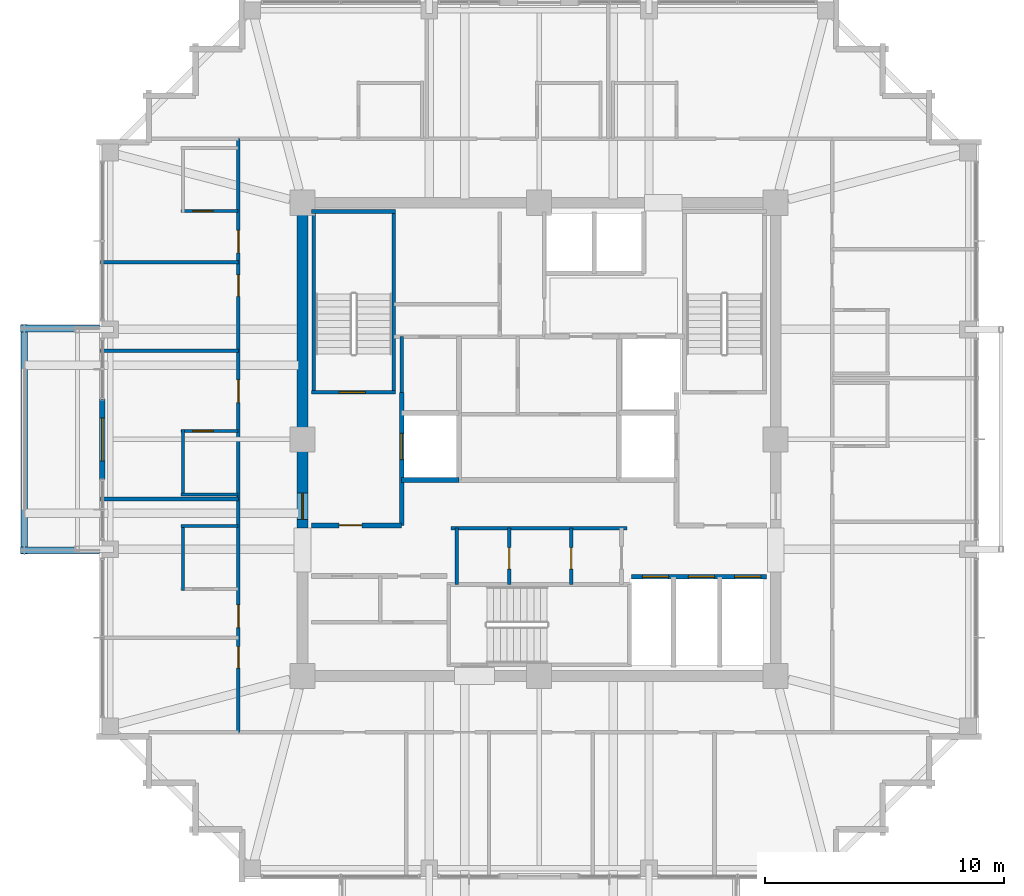
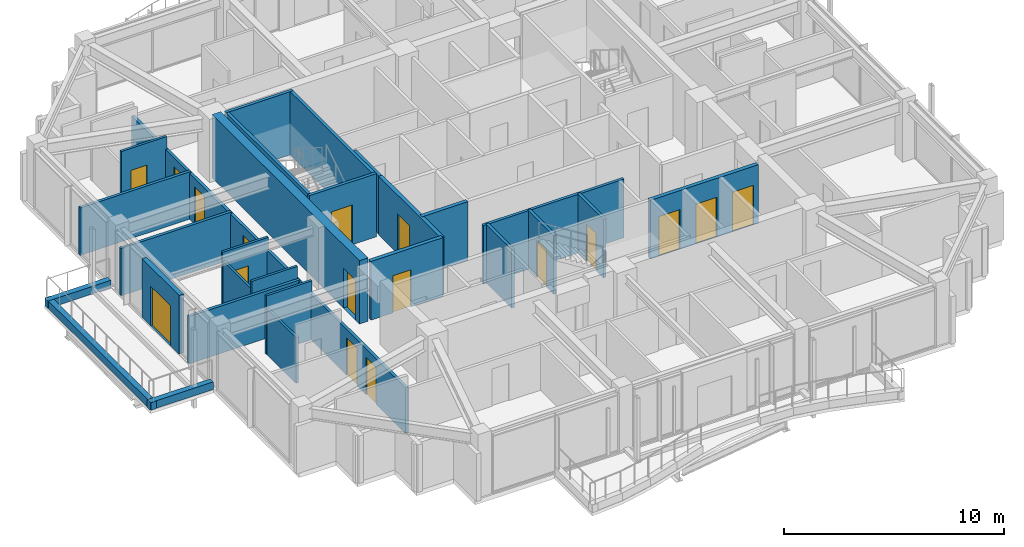
# One storey, part 28 of 34: 28 walls, 17 doors, 17 openings.
"""IFC4 building model written with IfcOpenShell, lengths in metres."""

from ifc_helpers import new_model, si_unit, direction, frame, frame_2d, origin, place, context, subcontext, project, spatial, rectangle, extrude, material, layer, layer_set, type_object, element, fill, save


model = new_model("IFC4")

# Units and contexts
model_context = context("Model", 3, precision=1e-05, world=origin(), true_north=direction((0.0, 1.0)))
body_context = subcontext(model_context, "Body", "Model", "MODEL_VIEW")
ifc_project = project(units=[si_unit("LENGTHUNIT", "METRE"), si_unit("AREAUNIT", "SQUARE_METRE"), si_unit("VOLUMEUNIT", "CUBIC_METRE"), si_unit("PLANEANGLEUNIT", "RADIAN"), si_unit("MASSUNIT", "GRAM", prefix="KILO")], contexts=[model_context])

# Site, building, storey
site_placement = place(None, origin())
site = spatial("IfcSite", under=ifc_project, at=site_placement, CompositionType="ELEMENT")
building_placement = place(site_placement, origin())
building = spatial("IfcBuilding", under=site, at=building_placement, Name="Kolvaren Belvedere", CompositionType="ELEMENT")
storey_placement = place(building_placement, frame((0.0, 0.0, 240.89990234375)))
storey = spatial("IfcBuildingStorey", under=building, at=storey_placement, Name="L70", CompositionType="ELEMENT", Elevation=240.89990234375)

# Wall, opening, door
ifc_material_1 = material(Name="Concrete C50/60", Category="concrete")
ifc_layer_1 = layer(ifc_material_1, 0.449951171875)
ifc_layer_set_1 = layer_set([ifc_layer_1], Name="Concrete C50/60")
wall_type_1 = type_object("IfcWallType", Name="CW-CORE-450", PredefinedType="SHEAR", material=ifc_layer_set_1)
wall_1_placement = place(storey_placement, frame((-9.89990234375, -3.699951171875, 0.0), z_axis=(0.0, 0.0, 1.0), x_axis=(0.0, 1.0, 0.0)))
wall_1 = element("IfcWall", 1, at=wall_1_placement, inside=storey, type_object=wall_type_1, Name="L70 West Core Shear Wall 2", PredefinedType="SHEAR", context=body_context, shape_type="SweptSolid", body=[
    extrude(rectangle(XDim=13.375, YDim=0.449951171875, at=frame_2d((6.6875, 0.0))), origin(), (0.0, 0.0, 1.0), 3.5),
])
opening_1_placement = place(wall_1_placement, frame((0.35009765625, 0.0, 0.0)))
opening_1 = element("IfcOpeningElement", 2, at=opening_1_placement, cuts=wall_1, Name="Opening D-FD90", PredefinedType="OPENING", context=body_context, shape_type="SweptSolid", body=[
    extrude(rectangle(XDim=1.10009765625, YDim=2.199951171875, at=frame_2d((0.550048828125, 1.10009765625))), frame((0.0, 0.23486328125, 0.0), z_axis=(0.0, -1.0, 0.0), x_axis=(1.0, 0.0, 0.0)), (0.0, 0.0, 1.0), 0.469970703125),
])
ifc_material_2 = material(Name="Painted hollow stainless steel", Category="steel")
door_type_1 = type_object("IfcDoorType", Name="DR-FD90-1100", OperationType="NOTDEFINED", PredefinedType="DOOR", material=ifc_material_2)
door_1_placement = place(opening_1_placement, origin())
door_1 = element("IfcDoor", 3, at=door_1_placement, inside=storey, type_object=door_type_1, Name="L70 West Firefighting Lobby Fire Door", OperationType="SINGLE_SWING_LEFT", OverallHeight=2.199951171875, OverallWidth=1.10009765625, PredefinedType="DOOR", context=body_context, shape_type="SweptSolid", body=[
    extrude(rectangle(XDim=1.10009765625, YDim=2.199951171875, at=frame_2d((0.550048828125, 1.10009765625))), frame((0.0, 0.02490234375, 0.0), z_axis=(0.0, -1.0, 0.0), x_axis=(1.0, 0.0, 0.0)), (0.0, 0.0, 1.0), 0.050048828125),
])
fill(opening_1, door_1)

ifc_material_3 = material(Name="Concrete C50/60", Category="concrete")
ifc_layer_2 = layer(ifc_material_3, 0.159912109375)
ifc_layer_set_2 = layer_set([ifc_layer_2], Name="Concrete C50/60")
wall_type_2 = type_object("IfcWallType", Name="CW-STAIR-160", PredefinedType="SHEAR", material=ifc_layer_set_2)
wall_2_placement = place(storey_placement, frame((-9.52001953125, 1.969970703125, 0.0), z_axis=(0.0, 0.0, 1.0), x_axis=(1.0, 0.0, 0.0)))
wall_2 = element("IfcWall", 4, at=wall_2_placement, inside=storey, type_object=wall_type_2, Name="L70 Stair ST-1 South Shear Wall", PredefinedType="SHEAR", context=body_context, shape_type="SweptSolid", body=[
    extrude(rectangle(XDim=3.52001953125, YDim=0.159912109375, at=frame_2d((1.760009765625, 0.0))), origin(), (0.0, 0.0, 1.0), 3.5),
])
opening_2_placement = place(wall_2_placement, frame((1.14990234375, 0.0, 0.0)))
opening_2 = element("IfcOpeningElement", 5, at=opening_2_placement, cuts=wall_2, Name="Opening D-FD90", PredefinedType="OPENING", context=body_context, shape_type="SweptSolid", body=[
    extrude(rectangle(XDim=1.10009765625, YDim=2.199951171875, at=frame_2d((0.550048828125, 1.10009765625))), frame((0.0, 0.08984375, 0.0), z_axis=(0.0, -1.0, 0.0), x_axis=(1.0, 0.0, 0.0)), (0.0, 0.0, 1.0), 0.179931640625),
])
door_2_placement = place(opening_2_placement, origin())
door_2 = element("IfcDoor", 6, at=door_2_placement, inside=storey, type_object=door_type_1, Name="L70 Stair ST-1 Fire Door", OperationType="SINGLE_SWING_LEFT", OverallHeight=2.199951171875, OverallWidth=1.10009765625, PredefinedType="DOOR", context=body_context, shape_type="SweptSolid", body=[
    extrude(rectangle(XDim=1.10009765625, YDim=2.199951171875, at=frame_2d((0.550048828125, 1.10009765625))), frame((0.0, 0.02490234375, 0.0), z_axis=(0.0, -1.0, 0.0), x_axis=(1.0, 0.0, 0.0)), (0.0, 0.0, 1.0), 0.050048828125),
])
fill(opening_2, door_2)

# Walls
wall_3_placement = place(storey_placement, frame((-9.52001953125, 9.530029296875, 0.0), z_axis=(0.0, 0.0, 1.0), x_axis=(1.0, 0.0, 0.0)))
element("IfcWall", 7, at=wall_3_placement, inside=storey, type_object=wall_type_2, Name="L70 Stair ST-1 North Shear Wall", PredefinedType="SHEAR", context=body_context, shape_type="SweptSolid", body=[
    extrude(rectangle(XDim=3.52001953125, YDim=0.159912109375, at=frame_2d((1.760009765625, 0.0))), origin(), (0.0, 0.0, 1.0), 3.5),
])
for number, where, z_axis, x_axis, name in (
    (8, (-9.429931640625, 1.969970703125, 0.0), (0.0, 0.0, 1.0), (0.0, 1.0, 0.0), "L70 Stair ST-1 West Shear Wall"),
    (9, (-6.080078125, 1.969970703125, 0.0), (0.0, 0.0, 1.0), (0.0, 1.0, 0.0), "L70 Stair ST-1 East Shear Wall"),
):
    element("IfcWall", number, at=place(storey_placement, frame(where, z_axis=z_axis, x_axis=x_axis)), inside=storey, type_object=wall_type_2, Name=name, PredefinedType="SHEAR", context=body_context, shape_type="SweptSolid", body=[
        extrude(rectangle(XDim=7.56005859375, YDim=0.159912109375, at=frame_2d((3.780029296875, 0.0))), origin(), (0.0, 0.0, 1.0), 3.5),
    ])

# Wall, openings, doors
ifc_material_4 = material(Name="Gypsum fire-rated partition assembly", Category="gypsum")
ifc_layer_3 = layer(ifc_material_4, 0.14990234375)
ifc_layer_set_3 = layer_set([ifc_layer_3], Name="Gypsum fire-rated partition assembly")
wall_type_3 = type_object("IfcWallType", Name="WL-CORR-150", PredefinedType="PARTITIONING", material=ifc_layer_set_3)
wall_4_placement = place(storey_placement, frame((-12.580078125, -12.260009765625, 0.0), z_axis=(0.0, 0.0, 1.0), x_axis=(0.0, 1.0, 0.0)))
wall_4 = element("IfcWall", 10, at=wall_4_placement, inside=storey, type_object=wall_type_3, Name="L70 West Corridor Wall", PredefinedType="PARTITIONING", context=body_context, shape_type="SweptSolid", body=[
    extrude(rectangle(XDim=24.840087890625, YDim=0.14990234375, at=frame_2d((12.419921875, 0.0))), origin(), (0.0, 0.0, 1.0), 2.5390625),
])
opening_3_placement = place(wall_4_placement, frame((2.685546875, 0.0, 0.0)))
opening_3 = element("IfcOpeningElement", 11, at=opening_3_placement, cuts=wall_4, Name="Opening D-INT90", PredefinedType="OPENING", context=body_context, shape_type="SweptSolid", body=[
    extrude(rectangle(XDim=0.89990234375, YDim=2.06005859375, at=frame_2d((0.449951171875, 1.030029296875))), frame((0.0, 0.0849609375, 0.0), z_axis=(0.0, -1.0, 0.0), x_axis=(1.0, 0.0, 0.0)), (0.0, 0.0, 1.0), 0.169921875),
])
opening_4_placement = place(wall_4_placement, frame((4.385009765625, 0.0, 0.0)))
opening_4 = element("IfcOpeningElement", 12, at=opening_4_placement, cuts=wall_4, Name="Opening D-FD60", PredefinedType="OPENING", context=body_context, shape_type="SweptSolid", body=[
    extrude(rectangle(XDim=0.949951171875, YDim=2.06005859375, at=frame_2d((0.47509765625, 1.030029296875))), frame((0.0, 0.0849609375, 0.0), z_axis=(0.0, -1.0, 0.0), x_axis=(1.0, 0.0, 0.0)), (0.0, 0.0, 1.0), 0.169921875),
])
opening_5_placement = place(wall_4_placement, frame((13.79638671875, 0.0, 0.0)))
opening_5 = element("IfcOpeningElement", 13, at=opening_5_placement, cuts=wall_4, Name="Opening D-FD60", PredefinedType="OPENING", context=body_context, shape_type="SweptSolid", body=[
    extrude(rectangle(XDim=0.949951171875, YDim=2.06005859375, at=frame_2d((0.47509765625, 1.030029296875))), frame((0.0, 0.0849609375, 0.0), z_axis=(0.0, -1.0, 0.0), x_axis=(1.0, 0.0, 0.0)), (0.0, 0.0, 1.0), 0.169921875),
])
opening_6_placement = place(wall_4_placement, frame((18.241943359375, 0.0, 0.0)))
opening_6 = element("IfcOpeningElement", 14, at=opening_6_placement, cuts=wall_4, Name="Opening D-INT90", PredefinedType="OPENING", context=body_context, shape_type="SweptSolid", body=[
    extrude(rectangle(XDim=0.89990234375, YDim=2.06005859375, at=frame_2d((0.449951171875, 1.030029296875))), frame((0.0, 0.0849609375, 0.0), z_axis=(0.0, -1.0, 0.0), x_axis=(1.0, 0.0, 0.0)), (0.0, 0.0, 1.0), 0.169921875),
])
opening_7_placement = place(wall_4_placement, frame((20.05859375, 0.0, 0.0)))
opening_7 = element("IfcOpeningElement", 15, at=opening_7_placement, cuts=wall_4, Name="Opening D-FD60", PredefinedType="OPENING", context=body_context, shape_type="SweptSolid", body=[
    extrude(rectangle(XDim=0.949951171875, YDim=2.06005859375, at=frame_2d((0.47509765625, 1.030029296875))), frame((0.0, 0.0849609375, 0.0), z_axis=(0.0, -1.0, 0.0), x_axis=(1.0, 0.0, 0.0)), (0.0, 0.0, 1.0), 0.169921875),
])
ifc_material_5 = material(Name="Acoustic white-oak fire door leaf", Category="timber")
door_type_2 = type_object("IfcDoorType", Name="DR-FD60-950", OperationType="NOTDEFINED", PredefinedType="DOOR", material=ifc_material_5)
door_3_placement = place(opening_4_placement, origin())
door_3 = element("IfcDoor", 16, at=door_3_placement, inside=storey, type_object=door_type_2, Name="L70 Botanical Hospitality Suite 7009 Entry Door", OperationType="SINGLE_SWING_LEFT", OverallHeight=2.06005859375, OverallWidth=0.949951171875, PredefinedType="DOOR", context=body_context, shape_type="SweptSolid", body=[
    extrude(rectangle(XDim=0.949951171875, YDim=2.06005859375, at=frame_2d((0.47509765625, 1.030029296875))), frame((0.0, 0.02490234375, 0.0), z_axis=(0.0, -1.0, 0.0), x_axis=(1.0, 0.0, 0.0)), (0.0, 0.0, 1.0), 0.050048828125),
])
fill(opening_4, door_3)
door_4_placement = place(opening_5_placement, origin())
door_4 = element("IfcDoor", 17, at=door_4_placement, inside=storey, type_object=door_type_2, Name="L70 King Guest Room 7010 Entry Door", OperationType="SINGLE_SWING_LEFT", OverallHeight=2.06005859375, OverallWidth=0.949951171875, PredefinedType="DOOR", context=body_context, shape_type="SweptSolid", body=[
    extrude(rectangle(XDim=0.949951171875, YDim=2.06005859375, at=frame_2d((0.47509765625, 1.030029296875))), frame((0.0, 0.02490234375, 0.0), z_axis=(0.0, -1.0, 0.0), x_axis=(1.0, 0.0, 0.0)), (0.0, 0.0, 1.0), 0.050048828125),
])
fill(opening_5, door_4)
door_5_placement = place(opening_7_placement, origin())
door_5 = element("IfcDoor", 18, at=door_5_placement, inside=storey, type_object=door_type_2, Name="L70 King Guest Room 7012 Entry Door", OperationType="SINGLE_SWING_RIGHT", OverallHeight=2.06005859375, OverallWidth=0.949951171875, PredefinedType="DOOR", context=body_context, shape_type="SweptSolid", body=[
    extrude(rectangle(XDim=0.949951171875, YDim=2.06005859375, at=frame_2d((0.47509765625, 1.030029296875))), frame((0.0, 0.02490234375, 0.0), z_axis=(0.0, -1.0, 0.0), x_axis=(1.0, 0.0, 0.0)), (0.0, 0.0, 1.0), 0.050048828125),
])
fill(opening_7, door_5)
ifc_material_6 = material(Name="Stained Pacific white oak", Category="timber")
door_type_3 = type_object("IfcDoorType", Name="DR-INT-900", OperationType="NOTDEFINED", PredefinedType="DOOR", material=ifc_material_6)
door_6_placement = place(opening_3_placement, origin())
door_6 = element("IfcDoor", 19, at=door_6_placement, inside=storey, type_object=door_type_3, Name="L70 Lounge 7008 Door", OperationType="SINGLE_SWING_LEFT", OverallHeight=2.06005859375, OverallWidth=0.89990234375, PredefinedType="DOOR", context=body_context, shape_type="SweptSolid", body=[
    extrude(rectangle(XDim=0.89990234375, YDim=2.06005859375, at=frame_2d((0.449951171875, 1.030029296875))), frame((0.0, 0.02490234375, 0.0), z_axis=(0.0, -1.0, 0.0), x_axis=(1.0, 0.0, 0.0)), (0.0, 0.0, 1.0), 0.050048828125),
])
fill(opening_3, door_6)
door_7_placement = place(opening_6_placement, origin())
door_7 = element("IfcDoor", 20, at=door_7_placement, inside=storey, type_object=door_type_3, Name="L70 Lounge 7011 Door", OperationType="SINGLE_SWING_RIGHT", OverallHeight=2.06005859375, OverallWidth=0.89990234375, PredefinedType="DOOR", context=body_context, shape_type="SweptSolid", body=[
    extrude(rectangle(XDim=0.89990234375, YDim=2.06005859375, at=frame_2d((0.449951171875, 1.030029296875))), frame((0.0, 0.02490234375, 0.0), z_axis=(0.0, -1.0, 0.0), x_axis=(1.0, 0.0, 0.0)), (0.0, 0.0, 1.0), 0.050048828125),
])
fill(opening_6, door_7)

# Wall, opening, door
ifc_material_7 = material(Name="Insulated pale-metal facade wall assembly", Category="aluminium")
ifc_layer_4 = layer(ifc_material_7, 0.239990234375)
ifc_layer_set_4 = layer_set([ifc_layer_4], Name="Insulated pale-metal facade wall assembly")
wall_type_4 = type_object("IfcWallType", Name="WL-EXT-240", PredefinedType="STANDARD", material=ifc_layer_set_4)
wall_5_placement = place(storey_placement, frame((-18.280029296875, -1.679931640625, 0.0), z_axis=(0.0, 0.0, 1.0), x_axis=(0.0, 1.0, 0.0)))
wall_5 = element("IfcWall", 21, at=wall_5_placement, inside=storey, type_object=wall_type_4, Name="L70 West Terrace Portal Wall", PredefinedType="STANDARD", context=body_context, shape_type="SweptSolid", body=[
    extrude(rectangle(XDim=3.35986328125, YDim=0.239990234375, at=frame_2d((1.679931640625, 0.0))), origin(), (0.0, 0.0, 1.0), 3.25),
])
opening_8_placement = place(wall_5_placement, frame((0.780029296875, 0.0, 0.0)))
opening_8 = element("IfcOpeningElement", 22, at=opening_8_placement, cuts=wall_5, Name="Opening DB-1800", PredefinedType="OPENING", context=body_context, shape_type="SweptSolid", body=[
    extrude(rectangle(XDim=1.800048828125, YDim=2.199951171875, at=frame_2d((0.89990234375, 1.10009765625))), frame((0.0, 0.1298828125, 0.0), z_axis=(0.0, -1.0, 0.0), x_axis=(1.0, 0.0, 0.0)), (0.0, 0.0, 1.0), 0.260009765625),
])
ifc_material_8 = material(Name="Thermally broken pale-metal aluminium & low-iron glass", Category="aluminium")
door_type_4 = type_object("IfcDoorType", Name="DR-BAL-1800", OperationType="DOUBLE_DOOR_SLIDING", PredefinedType="DOOR", material=ifc_material_8)
door_8_placement = place(opening_8_placement, origin())
door_8 = element("IfcDoor", 23, at=door_8_placement, inside=storey, type_object=door_type_4, Name="L70 West Planted Terrace Sliding Door", OperationType="DOUBLE_DOOR_SLIDING", OverallHeight=2.199951171875, OverallWidth=1.800048828125, PredefinedType="DOOR", context=body_context, shape_type="SweptSolid", body=[
    extrude(rectangle(XDim=1.800048828125, YDim=2.199951171875, at=frame_2d((0.89990234375, 1.10009765625))), frame((0.0, 0.02490234375, 0.0), z_axis=(0.0, -1.0, 0.0), x_axis=(1.0, 0.0, 0.0)), (0.0, 0.0, 1.0), 0.050048828125),
])
fill(opening_8, door_8)

# Walls
ifc_material_9 = material(Name="Gypsum acoustic partition assembly", Category="gypsum")
ifc_layer_5 = layer(ifc_material_9, 0.14990234375)
ifc_layer_set_5 = layer_set([ifc_layer_5], Name="Gypsum acoustic partition assembly")
wall_type_5 = type_object("IfcWallType", Name="WL-PART-150", PredefinedType="PARTITIONING", material=ifc_layer_set_5)
wall_6_placement = place(storey_placement, frame((-3.679931640625, -3.719970703125, 0.0), z_axis=(0.0, 0.0, 1.0), x_axis=(1.0, 0.0, 0.0)))
element("IfcWall", 24, at=wall_6_placement, inside=storey, type_object=wall_type_5, Name="L70 South Core Service North Wall", PredefinedType="PARTITIONING", context=body_context, shape_type="SweptSolid", body=[
    extrude(rectangle(XDim=7.35986328125, YDim=0.14990234375, at=frame_2d((3.679931640625, 0.0))), origin(), (0.0, 0.0, 1.0), 3.25),
])
wall_7_placement = place(storey_placement, frame((-3.449951171875, -6.080078125, 0.0), z_axis=(0.0, 0.0, 1.0), x_axis=(0.0, 1.0, 0.0)))
element("IfcWall", 25, at=wall_7_placement, inside=storey, type_object=wall_type_5, Name="L70 South Core Service West Wall", PredefinedType="PARTITIONING", context=body_context, shape_type="SweptSolid", body=[
    extrude(rectangle(XDim=2.360107421875, YDim=0.14990234375, at=frame_2d((1.18017578125, 0.0))), origin(), (0.0, 0.0, 1.0), 3.25),
])

# Wall, opening, door
wall_8_placement = place(storey_placement, frame((1.35009765625, -6.080078125, 0.0), z_axis=(0.0, 0.0, 1.0), x_axis=(0.0, 1.0, 0.0)))
wall_8 = element("IfcWall", 26, at=wall_8_placement, inside=storey, type_object=wall_type_5, Name="L70 Core Service Divider 1", PredefinedType="PARTITIONING", context=body_context, shape_type="SweptSolid", body=[
    extrude(rectangle(XDim=2.360107421875, YDim=0.14990234375, at=frame_2d((1.18017578125, 0.0))), origin(), (0.0, 0.0, 1.0), 3.25),
])
opening_9_placement = place(wall_8_placement, frame((0.64990234375, 0.0, 0.0)))
opening_9 = element("IfcOpeningElement", 27, at=opening_9_placement, cuts=wall_8, Name="Opening D-INT90", PredefinedType="OPENING", context=body_context, shape_type="SweptSolid", body=[
    extrude(rectangle(XDim=0.89990234375, YDim=2.06005859375, at=frame_2d((0.449951171875, 1.030029296875))), frame((0.0, 0.0849609375, 0.0), z_axis=(0.0, -1.0, 0.0), x_axis=(1.0, 0.0, 0.0)), (0.0, 0.0, 1.0), 0.169921875),
])
door_9_placement = place(opening_9_placement, origin())
door_9 = element("IfcDoor", 28, at=door_9_placement, inside=storey, type_object=door_type_3, Name="L70 Data Closet Door", OperationType="SINGLE_SWING_RIGHT", OverallHeight=2.06005859375, OverallWidth=0.89990234375, PredefinedType="DOOR", context=body_context, shape_type="SweptSolid", body=[
    extrude(rectangle(XDim=0.89990234375, YDim=2.06005859375, at=frame_2d((0.449951171875, 1.030029296875))), frame((0.0, 0.02490234375, 0.0), z_axis=(0.0, -1.0, 0.0), x_axis=(1.0, 0.0, 0.0)), (0.0, 0.0, 1.0), 0.050048828125),
])
fill(opening_9, door_9)

wall_9_placement = place(storey_placement, frame((-1.25, -6.080078125, 0.0), z_axis=(0.0, 0.0, 1.0), x_axis=(0.0, 1.0, 0.0)))
wall_9 = element("IfcWall", 29, at=wall_9_placement, inside=storey, type_object=wall_type_5, Name="L70 Core Service Divider 2", PredefinedType="PARTITIONING", context=body_context, shape_type="SweptSolid", body=[
    extrude(rectangle(XDim=2.360107421875, YDim=0.14990234375, at=frame_2d((1.18017578125, 0.0))), origin(), (0.0, 0.0, 1.0), 3.25),
])
opening_10_placement = place(wall_9_placement, frame((0.64990234375, 0.0, 0.0)))
opening_10 = element("IfcOpeningElement", 30, at=opening_10_placement, cuts=wall_9, Name="Opening D-INT90", PredefinedType="OPENING", context=body_context, shape_type="SweptSolid", body=[
    extrude(rectangle(XDim=0.89990234375, YDim=2.06005859375, at=frame_2d((0.449951171875, 1.030029296875))), frame((0.0, 0.0849609375, 0.0), z_axis=(0.0, -1.0, 0.0), x_axis=(1.0, 0.0, 0.0)), (0.0, 0.0, 1.0), 0.169921875),
])
door_10_placement = place(opening_10_placement, origin())
door_10 = element("IfcDoor", 31, at=door_10_placement, inside=storey, type_object=door_type_3, Name="L70 Janitor Room Door", OperationType="SINGLE_SWING_LEFT", OverallHeight=2.06005859375, OverallWidth=0.89990234375, PredefinedType="DOOR", context=body_context, shape_type="SweptSolid", body=[
    extrude(rectangle(XDim=0.89990234375, YDim=2.06005859375, at=frame_2d((0.449951171875, 1.030029296875))), frame((0.0, 0.02490234375, 0.0), z_axis=(0.0, -1.0, 0.0), x_axis=(1.0, 0.0, 0.0)), (0.0, 0.0, 1.0), 0.050048828125),
])
fill(opening_10, door_10)

# Walls
wall_10_placement = place(storey_placement, frame((-5.75, 1.969970703125, 0.0), z_axis=(0.0, 0.0, 1.0), x_axis=(0.0, 1.0, 0.0)))
element("IfcWall", 32, at=wall_10_placement, inside=storey, type_object=wall_type_5, Name="L70 NW Service Room West Wall", PredefinedType="PARTITIONING", context=body_context, shape_type="SweptSolid", body=[
    extrude(rectangle(XDim=2.330078125, YDim=0.14990234375, at=frame_2d((1.1650390625, 0.0))), origin(), (0.0, 0.0, 1.0), 3.25),
])
for number, where, z_axis, x_axis, name in (
    (33, (-18.3798828125, -2.49609375, 0.0), (0.0, 0.0, 1.0), (1.0, 0.0, 0.0), "L70 West Suite Demising Wall 2"),
    (34, (-18.3798828125, 3.7041015625, 0.0), (0.0, 0.0, 1.0), (1.0, 0.0, 0.0), "L70 West Suite Demising Wall 3"),
    (35, (-18.3798828125, 7.404052734375, 0.0), (0.0, 0.0, 1.0), (1.0, 0.0, 0.0), "L70 West Suite Demising Wall 4"),
):
    element("IfcWall", number, at=place(storey_placement, frame(where, z_axis=z_axis, x_axis=x_axis)), inside=storey, type_object=wall_type_5, Name=name, PredefinedType="PARTITIONING", context=body_context, shape_type="SweptSolid", body=[
        extrude(rectangle(XDim=5.7998046875, YDim=0.14990234375, at=frame_2d((2.89990234375, 0.0))), origin(), (0.0, 0.0, 1.0), 2.623046875),
    ])
ifc_material_10 = material(Name="Precast concrete C40/50", Category="concrete")
ifc_layer_6 = layer(ifc_material_10, 0.300048828125)
ifc_layer_set_6 = layer_set([ifc_layer_6], Name="Precast concrete C40/50")
wall_type_6 = type_object("IfcWallType", Name="WL-PLANTER-300", PredefinedType="PARAPET", material=ifc_layer_set_6)
for number, where, z_axis, x_axis, name in (
    (36, (-21.699951171875, -4.639892578125, -0.06982421875), (0.0, 0.0, 1.0), (1.0, 0.0, 0.0), "L70 Precast Structural Planter Wall SPIRAL-11-W-1"),
    (37, (-18.39990234375, 4.639892578125, -0.06982421875), (0.0, 0.0, 1.0), (-1.0, 0.0, 0.0), "L70 Precast Structural Planter Wall SPIRAL-11-W-3"),
):
    element("IfcWall", number, at=place(storey_placement, frame(where, z_axis=z_axis, x_axis=x_axis)), inside=storey, type_object=wall_type_6, Name=name, PredefinedType="PARAPET", context=body_context, shape_type="SweptSolid", body=[
        extrude(rectangle(XDim=3.300048828125, YDim=0.280029296875, at=frame_2d((1.64990234375, 0.0))), origin(), (0.0, 0.0, 1.0), 0.419921875),
    ])
wall_11_placement = place(storey_placement, frame((-21.5400390625, 4.800048828125, -0.06982421875), z_axis=(0.0, 0.0, 1.0), x_axis=(0.0, -1.0, 0.0)))
element("IfcWall", 38, at=wall_11_placement, inside=storey, type_object=wall_type_6, Name="L70 Precast Structural Planter Wall SPIRAL-11-W-4", PredefinedType="PARAPET", context=body_context, shape_type="SweptSolid", body=[
    extrude(rectangle(XDim=9.60009765625, YDim=0.280029296875, at=frame_2d((4.800048828125, 0.0))), origin(), (0.0, 0.0, 1.0), 0.419921875),
])

# Wall, opening, door
ifc_material_11 = material(Name="Concrete C50/60", Category="concrete")
ifc_layer_7 = layer(ifc_material_11, 0.199951171875)
ifc_layer_set_7 = layer_set([ifc_layer_7], Name="Concrete C50/60")
wall_type_7 = type_object("IfcWallType", Name="WL-SHAFT-200", PredefinedType="SOLIDWALL", material=ifc_layer_set_7)
wall_12_placement = place(storey_placement, frame((-9.52001953125, -3.60009765625, 0.0), z_axis=(0.0, 0.0, 1.0), x_axis=(1.0, 0.0, 0.0)))
wall_12 = element("IfcWall", 39, at=wall_12_placement, inside=storey, type_object=wall_type_7, Name="L70 West FSAE Lobby South Wall", PredefinedType="SOLIDWALL", context=body_context, shape_type="SweptSolid", body=[
    extrude(rectangle(XDim=3.77001953125, YDim=0.199951171875, at=frame_2d((1.885009765625, 0.0))), origin(), (0.0, 0.0, 1.0), 3.25),
])
opening_11_placement = place(wall_12_placement, frame((1.14990234375, 0.0, 0.0)))
opening_11 = element("IfcOpeningElement", 40, at=opening_11_placement, cuts=wall_12, Name="Opening D-FD60", PredefinedType="OPENING", context=body_context, shape_type="SweptSolid", body=[
    extrude(rectangle(XDim=0.949951171875, YDim=2.06005859375, at=frame_2d((0.47509765625, 1.030029296875))), frame((0.0, 0.10986328125, 0.0), z_axis=(0.0, -1.0, 0.0), x_axis=(1.0, 0.0, 0.0)), (0.0, 0.0, 1.0), 0.219970703125),
])
door_11_placement = place(opening_11_placement, origin())
door_11 = element("IfcDoor", 41, at=door_11_placement, inside=storey, type_object=door_type_2, Name="L70 SW Lobby Fire Door", OperationType="SINGLE_SWING_LEFT", OverallHeight=2.06005859375, OverallWidth=0.949951171875, PredefinedType="DOOR", context=body_context, shape_type="SweptSolid", body=[
    extrude(rectangle(XDim=0.949951171875, YDim=2.06005859375, at=frame_2d((0.47509765625, 1.030029296875))), frame((0.0, 0.02490234375, 0.0), z_axis=(0.0, -1.0, 0.0), x_axis=(1.0, 0.0, 0.0)), (0.0, 0.0, 1.0), 0.050048828125),
])
fill(opening_11, door_11)

wall_13_placement = place(storey_placement, frame((-5.75, -3.60009765625, 0.0), z_axis=(0.0, 0.0, 1.0), x_axis=(0.0, 1.0, 0.0)))
wall_13 = element("IfcWall", 42, at=wall_13_placement, inside=storey, type_object=wall_type_7, Name="L70 FSAE FS1 Landing Wall", PredefinedType="SOLIDWALL", context=body_context, shape_type="SweptSolid", body=[
    extrude(rectangle(XDim=5.570068359375, YDim=0.199951171875, at=frame_2d((2.78515625, 0.0))), origin(), (0.0, 0.0, 1.0), 3.25),
])
opening_12_placement = place(wall_13_placement, frame((2.75, 0.0, 0.0)))
opening_12 = element("IfcOpeningElement", 43, at=opening_12_placement, cuts=wall_13, Name="Opening LD-11", PredefinedType="OPENING", context=body_context, shape_type="SweptSolid", body=[
    extrude(rectangle(XDim=1.10009765625, YDim=2.199951171875, at=frame_2d((0.550048828125, 1.10009765625))), frame((0.0, 0.10986328125, 0.0), z_axis=(0.0, -1.0, 0.0), x_axis=(1.0, 0.0, 0.0)), (0.0, 0.0, 1.0), 0.219970703125),
])
ifc_material_12 = material(Name="Brushed stainless steel", Category="steel")
door_type_5 = type_object("IfcDoorType", Name="DR-LIFT-1100", OperationType="DOUBLE_DOOR_SLIDING", PredefinedType="DOOR", material=ifc_material_12)
door_12_placement = place(opening_12_placement, origin())
door_12 = element("IfcDoor", 44, at=door_12_placement, inside=storey, type_object=door_type_5, Name="L70 Firefighting Lift FS1 Landing Door", OperationType="DOUBLE_DOOR_SLIDING", OverallHeight=2.199951171875, OverallWidth=1.10009765625, PredefinedType="DOOR", context=body_context, shape_type="SweptSolid", body=[
    extrude(rectangle(XDim=1.10009765625, YDim=2.199951171875, at=frame_2d((0.550048828125, 1.10009765625))), frame((0.0, 0.02490234375, 0.0), z_axis=(0.0, -1.0, 0.0), x_axis=(1.0, 0.0, 0.0)), (0.0, 0.0, 1.0), 0.050048828125),
])
fill(opening_12, door_12)

# Wall
wall_14_placement = place(storey_placement, frame((-5.75, -1.699951171875, 0.0), z_axis=(0.0, 0.0, 1.0), x_axis=(1.0, 0.0, 0.0)))
element("IfcWall", 45, at=wall_14_placement, inside=storey, type_object=wall_type_7, Name="L70 FSAE FS1 South Wall", PredefinedType="SOLIDWALL", context=body_context, shape_type="SweptSolid", body=[
    extrude(rectangle(XDim=2.39990234375, YDim=0.199951171875, at=frame_2d((1.199951171875, 0.0))), origin(), (0.0, 0.0, 1.0), 3.25),
])

# Wall, openings, doors
wall_15_placement = place(storey_placement, frame((3.860107421875, -5.75, 0.0), z_axis=(0.0, 0.0, 1.0), x_axis=(1.0, 0.0, 0.0)))
wall_15 = element("IfcWall", 46, at=wall_15_placement, inside=storey, type_object=wall_type_7, Name="L70 High-Rise Lift Bank Front Wall", PredefinedType="SOLIDWALL", context=body_context, shape_type="SweptSolid", body=[
    extrude(rectangle(XDim=5.659912109375, YDim=0.199951171875, at=frame_2d((2.830078125, 0.0))), origin(), (0.0, 0.0, 1.0), 3.25),
])
opening_13_placement = place(wall_15_placement, frame((0.4599609375, 0.0, 0.0)))
opening_13 = element("IfcOpeningElement", 47, at=opening_13_placement, cuts=wall_15, Name="Opening LD-11", PredefinedType="OPENING", context=body_context, shape_type="SweptSolid", body=[
    extrude(rectangle(XDim=1.10009765625, YDim=2.199951171875, at=frame_2d((0.550048828125, 1.10009765625))), frame((0.0, 0.10986328125, 0.0), z_axis=(0.0, -1.0, 0.0), x_axis=(1.0, 0.0, 0.0)), (0.0, 0.0, 1.0), 0.219970703125),
])
opening_14_placement = place(wall_15_placement, frame((2.389892578125, 0.0, 0.0)))
opening_14 = element("IfcOpeningElement", 48, at=opening_14_placement, cuts=wall_15, Name="Opening LD-11", PredefinedType="OPENING", context=body_context, shape_type="SweptSolid", body=[
    extrude(rectangle(XDim=1.10009765625, YDim=2.199951171875, at=frame_2d((0.550048828125, 1.10009765625))), frame((0.0, 0.10986328125, 0.0), z_axis=(0.0, -1.0, 0.0), x_axis=(1.0, 0.0, 0.0)), (0.0, 0.0, 1.0), 0.219970703125),
])
opening_15_placement = place(wall_15_placement, frame((4.320068359375, 0.0, 0.0)))
opening_15 = element("IfcOpeningElement", 49, at=opening_15_placement, cuts=wall_15, Name="Opening LD-11", PredefinedType="OPENING", context=body_context, shape_type="SweptSolid", body=[
    extrude(rectangle(XDim=1.10009765625, YDim=2.199951171875, at=frame_2d((0.550048828125, 1.10009765625))), frame((0.0, 0.10986328125, 0.0), z_axis=(0.0, -1.0, 0.0), x_axis=(1.0, 0.0, 0.0)), (0.0, 0.0, 1.0), 0.219970703125),
])
door_13_placement = place(opening_13_placement, origin())
door_13 = element("IfcDoor", 50, at=door_13_placement, inside=storey, type_object=door_type_5, Name="L70 Passenger Lift P7 Landing Door", OperationType="DOUBLE_DOOR_SLIDING", OverallHeight=2.199951171875, OverallWidth=1.10009765625, PredefinedType="DOOR", context=body_context, shape_type="SweptSolid", body=[
    extrude(rectangle(XDim=1.10009765625, YDim=2.199951171875, at=frame_2d((0.550048828125, 1.10009765625))), frame((0.0, 0.02490234375, 0.0), z_axis=(0.0, -1.0, 0.0), x_axis=(1.0, 0.0, 0.0)), (0.0, 0.0, 1.0), 0.050048828125),
])
fill(opening_13, door_13)
door_14_placement = place(opening_14_placement, origin())
door_14 = element("IfcDoor", 51, at=door_14_placement, inside=storey, type_object=door_type_5, Name="L70 Passenger Lift P8 Landing Door", OperationType="DOUBLE_DOOR_SLIDING", OverallHeight=2.199951171875, OverallWidth=1.10009765625, PredefinedType="DOOR", context=body_context, shape_type="SweptSolid", body=[
    extrude(rectangle(XDim=1.10009765625, YDim=2.199951171875, at=frame_2d((0.550048828125, 1.10009765625))), frame((0.0, 0.02490234375, 0.0), z_axis=(0.0, -1.0, 0.0), x_axis=(1.0, 0.0, 0.0)), (0.0, 0.0, 1.0), 0.050048828125),
])
fill(opening_14, door_14)
door_15_placement = place(opening_15_placement, origin())
door_15 = element("IfcDoor", 52, at=door_15_placement, inside=storey, type_object=door_type_5, Name="L70 Passenger Lift P9 Landing Door", OperationType="DOUBLE_DOOR_SLIDING", OverallHeight=2.199951171875, OverallWidth=1.10009765625, PredefinedType="DOOR", context=body_context, shape_type="SweptSolid", body=[
    extrude(rectangle(XDim=1.10009765625, YDim=2.199951171875, at=frame_2d((0.550048828125, 1.10009765625))), frame((0.0, 0.02490234375, 0.0), z_axis=(0.0, -1.0, 0.0), x_axis=(1.0, 0.0, 0.0)), (0.0, 0.0, 1.0), 0.050048828125),
])
fill(opening_15, door_15)

# Walls
ifc_material_13 = material(Name="Moisture-resistant gypsum partition", Category="gypsum")
ifc_layer_8 = layer(ifc_material_13, 0.125)
ifc_layer_set_8 = layer_set([ifc_layer_8], Name="Moisture-resistant gypsum partition")
wall_type_8 = type_object("IfcWallType", Name="WL-WET-125", PredefinedType="PARTITIONING", material=ifc_layer_set_8)
wall_16_placement = place(storey_placement, frame((-14.905029296875, -6.3310546875, 0.0), z_axis=(0.0, 0.0, 1.0), x_axis=(0.0, 1.0, 0.0)))
element("IfcWall", 53, at=wall_16_placement, inside=storey, type_object=wall_type_8, Name="L70 Bathroom Partition PW-L70-BTH-9-V", PredefinedType="PARTITIONING", context=body_context, shape_type="SweptSolid", body=[
    extrude(rectangle(XDim=2.77001953125, YDim=0.125, at=frame_2d((1.385009765625, 0.0))), origin(), (0.0, 0.0, 1.0), 2.5390625),
])
wall_17_placement = place(storey_placement, frame((-14.985107421875, -3.62109375, 0.0), z_axis=(0.0, 0.0, 1.0), x_axis=(1.0, 0.0, 0.0)))
element("IfcWall", 54, at=wall_17_placement, inside=storey, type_object=wall_type_8, Name="L70 Bathroom Partition PW-L70-BTH-9-S", PredefinedType="PARTITIONING", context=body_context, shape_type="SweptSolid", body=[
    extrude(rectangle(XDim=2.39013671875, YDim=0.125, at=frame_2d((1.195068359375, 0.0))), origin(), (0.0, 0.0, 1.0), 3.25),
])

# Wall, opening, door
wall_18_placement = place(storey_placement, frame((-14.985107421875, 0.34912109375, 0.0), z_axis=(0.0, 0.0, 1.0), x_axis=(1.0, 0.0, 0.0)))
wall_18 = element("IfcWall", 55, at=wall_18_placement, inside=storey, type_object=wall_type_8, Name="L70 Bathroom Partition PW-L70-BTH-10-N", PredefinedType="PARTITIONING", context=body_context, shape_type="SweptSolid", body=[
    extrude(rectangle(XDim=2.39013671875, YDim=0.125, at=frame_2d((1.195068359375, 0.0))), origin(), (0.0, 0.0, 1.0), 3.25),
])
opening_16_placement = place(wall_18_placement, frame((0.5, 0.0, 0.0)))
opening_16 = element("IfcOpeningElement", 56, at=opening_16_placement, cuts=wall_18, Name="Opening D-BTH85", PredefinedType="OPENING", context=body_context, shape_type="SweptSolid", body=[
    extrude(rectangle(XDim=0.85009765625, YDim=2.030029296875, at=frame_2d((0.425048828125, 1.01513671875))), frame((0.0, 0.072509765625, 0.0), z_axis=(0.0, -1.0, 0.0), x_axis=(1.0, 0.0, 0.0)), (0.0, 0.0, 1.0), 0.14501953125),
])
ifc_material_14 = material(Name="Moisture-sealed Pacific white oak", Category="timber")
door_type_6 = type_object("IfcDoorType", Name="DR-BATH-850", OperationType="NOTDEFINED", PredefinedType="DOOR", material=ifc_material_14)
door_16_placement = place(opening_16_placement, origin())
door_16 = element("IfcDoor", 57, at=door_16_placement, inside=storey, type_object=door_type_6, Name="L70 En-Suite Bathroom 7010 Door", OperationType="SINGLE_SWING_RIGHT", OverallHeight=2.030029296875, OverallWidth=0.85009765625, PredefinedType="DOOR", context=body_context, shape_type="SweptSolid", body=[
    extrude(rectangle(XDim=0.85009765625, YDim=2.030029296875, at=frame_2d((0.425048828125, 1.01513671875))), frame((0.0, 0.02490234375, 0.0), z_axis=(0.0, -1.0, 0.0), x_axis=(1.0, 0.0, 0.0)), (0.0, 0.0, 1.0), 0.050048828125),
])
fill(opening_16, door_16)

# Walls
wall_19_placement = place(storey_placement, frame((-14.905029296875, -2.361083984375, 0.0), z_axis=(0.0, 0.0, 1.0), x_axis=(0.0, 1.0, 0.0)))
element("IfcWall", 58, at=wall_19_placement, inside=storey, type_object=wall_type_8, Name="L70 Bathroom Partition PW-L70-BTH-10-V", PredefinedType="PARTITIONING", context=body_context, shape_type="SweptSolid", body=[
    extrude(rectangle(XDim=2.77001953125, YDim=0.125, at=frame_2d((1.385009765625, 0.0))), origin(), (0.0, 0.0, 1.0), 2.775146484375),
])
wall_20_placement = place(storey_placement, frame((-14.985107421875, -2.301025390625, 0.0), z_axis=(0.0, 0.0, 1.0), x_axis=(1.0, 0.0, 0.0)))
element("IfcWall", 59, at=wall_20_placement, inside=storey, type_object=wall_type_8, Name="L70 Bathroom Partition PW-L70-BTH-10-S", PredefinedType="PARTITIONING", context=body_context, shape_type="SweptSolid", body=[
    extrude(rectangle(XDim=2.39013671875, YDim=0.125, at=frame_2d((1.195068359375, 0.0))), origin(), (0.0, 0.0, 1.0), 3.25),
])

# Wall, opening, door
wall_21_placement = place(storey_placement, frame((-14.985107421875, 9.551025390625, 0.0), z_axis=(0.0, 0.0, 1.0), x_axis=(1.0, 0.0, 0.0)))
wall_21 = element("IfcWall", 60, at=wall_21_placement, inside=storey, type_object=wall_type_8, Name="L70 Bathroom Partition PW-L70-BTH-12-N", PredefinedType="PARTITIONING", context=body_context, shape_type="SweptSolid", body=[
    extrude(rectangle(XDim=2.39013671875, YDim=0.125, at=frame_2d((1.195068359375, 0.0))), origin(), (0.0, 0.0, 1.0), 3.25),
])
opening_17_placement = place(wall_21_placement, frame((0.5, 0.0, 0.0)))
opening_17 = element("IfcOpeningElement", 61, at=opening_17_placement, cuts=wall_21, Name="Opening D-BTH85", PredefinedType="OPENING", context=body_context, shape_type="SweptSolid", body=[
    extrude(rectangle(XDim=0.85009765625, YDim=2.030029296875, at=frame_2d((0.425048828125, 1.01513671875))), frame((0.0, 0.072509765625, 0.0), z_axis=(0.0, -1.0, 0.0), x_axis=(1.0, 0.0, 0.0)), (0.0, 0.0, 1.0), 0.14501953125),
])
door_17_placement = place(opening_17_placement, origin())
door_17 = element("IfcDoor", 62, at=door_17_placement, inside=storey, type_object=door_type_6, Name="L70 En-Suite Bathroom 7012 Door", OperationType="SINGLE_SWING_LEFT", OverallHeight=2.030029296875, OverallWidth=0.85009765625, PredefinedType="DOOR", context=body_context, shape_type="SweptSolid", body=[
    extrude(rectangle(XDim=0.85009765625, YDim=2.030029296875, at=frame_2d((0.425048828125, 1.01513671875))), frame((0.0, 0.02490234375, 0.0), z_axis=(0.0, -1.0, 0.0), x_axis=(1.0, 0.0, 0.0)), (0.0, 0.0, 1.0), 0.050048828125),
])
fill(opening_17, door_17)

save(model, "model.ifc")
